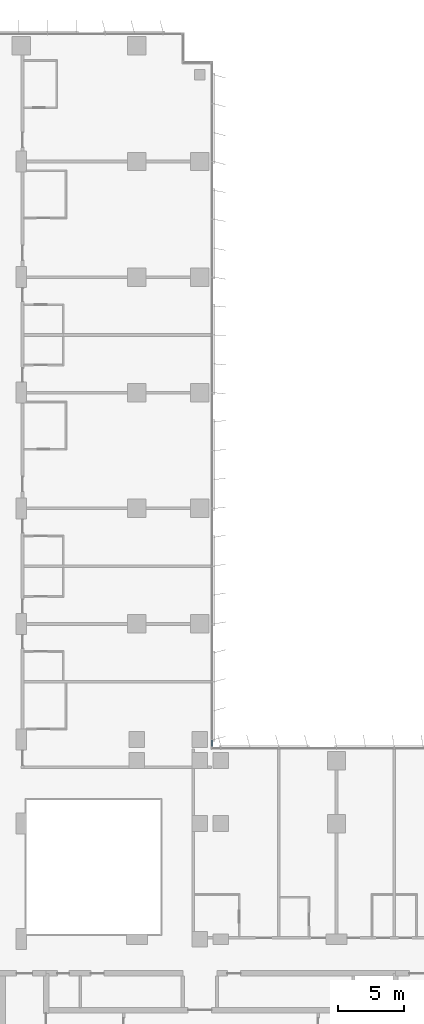
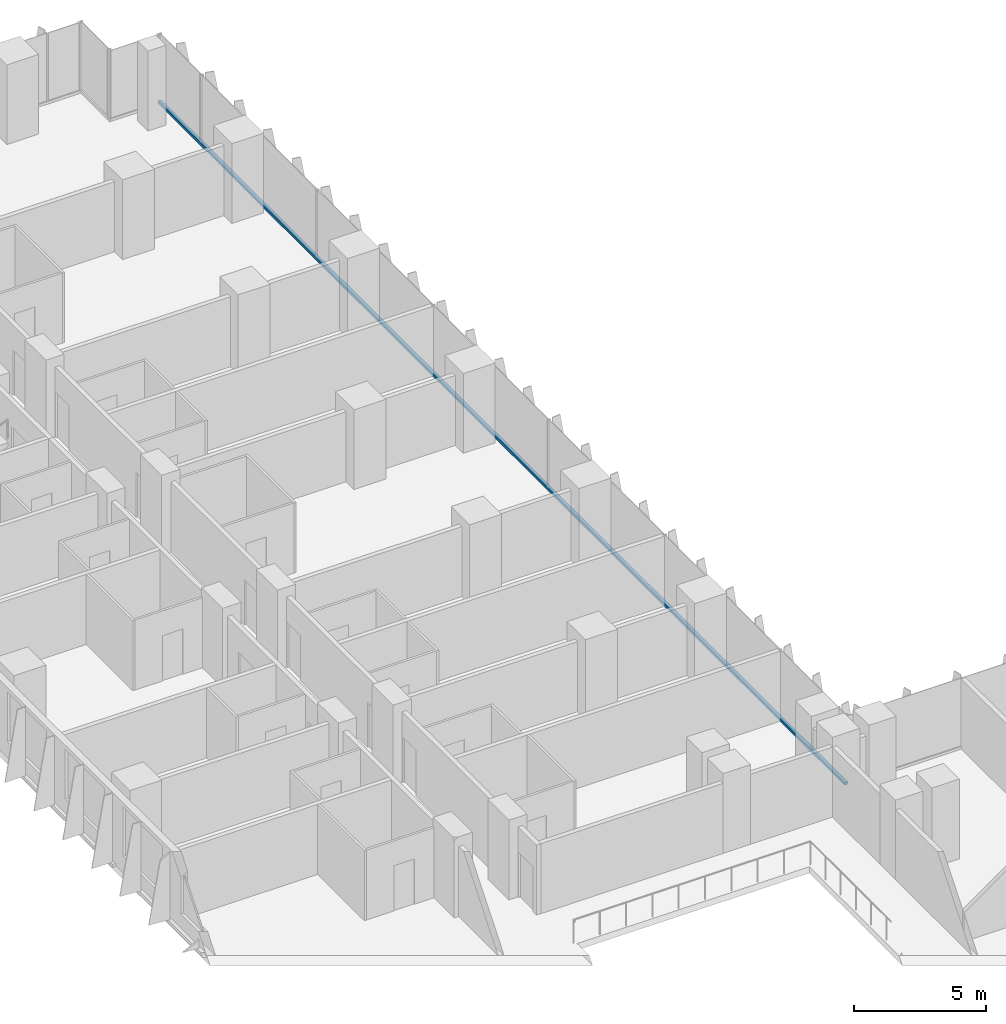
# One storey, part 6 of 23: 1 member, 1 element without a shape of its own.
"""IFC4 building model written with IfcOpenShell, lengths in metres."""

from ifc_helpers import new_model, si_unit, direction, frame, origin, origin_2d, place, context, subcontext, project, spatial, rectangle, extrude, material, material_profile, profile_set, type_object, element, aggregate, save


model = new_model("IFC4")

# Units and contexts
model_context = context("Model", 3, precision=1e-05, world=origin(), true_north=direction((0.0, 1.0)))
body_context = subcontext(model_context, "Body", "Model", "MODEL_VIEW")
ifc_project = project(units=[si_unit("LENGTHUNIT", "METRE"), si_unit("AREAUNIT", "SQUARE_METRE"), si_unit("VOLUMEUNIT", "CUBIC_METRE"), si_unit("PLANEANGLEUNIT", "RADIAN"), si_unit("MASSUNIT", "GRAM", prefix="KILO")], contexts=[model_context])

# Site, building, storey
site_placement = place(None, origin())
site = spatial("IfcSite", under=ifc_project, at=site_placement, CompositionType="ELEMENT")
building_placement = place(site_placement, origin())
building = spatial("IfcBuilding", under=site, at=building_placement, Name="Kemantara Hotel Tower", CompositionType="ELEMENT")
storey_placement = place(building_placement, frame((0.0, 0.0, 67.300048828125)))
storey = spatial("IfcBuildingStorey", under=building, at=storey_placement, Name="L15", CompositionType="ELEMENT", Elevation=67.300048828125)

# Curtain wall, member
ifc_material_1 = material(Name="Low-E tinted double insulated glass 36 mm", Category="glass")
curtain_wall_type = type_object("IfcCurtainWallType", Name="TOWER CURTAIN WALL, FRONT FACES", PredefinedType="USERDEFINED", material=ifc_material_1)
curtain_wall_placement = place(storey_placement, origin())
curtain_wall = element("IfcCurtainWall", 1, at=curtain_wall_placement, inside=storey, type_object=curtain_wall_type, Name="CW4 L15 T1-R08-1", ObjectType="TOWER CURTAIN WALL, FRONT FACES", PredefinedType="USERDEFINED")
ifc_material_2 = material(Name="Aluminium 6063-T6 bronze anodised", Category="aluminium")
ifc_material_profile = material_profile(ifc_material_2, rectangle(XDim=0.14990234375, YDim=0.1201171875, at=origin_2d()), Name="TOWER CURTAIN WALL, FRONT FACES TRANSOM")
ifc_profile_set = profile_set([ifc_material_profile], Name="Aluminium 6063-T6 bronze anodised")
member_type = type_object("IfcMemberType", Name="TOWER CURTAIN WALL, FRONT FACES TRANSOM", PredefinedType="USERDEFINED", material=ifc_profile_set)
member_placement = place(storey_placement, frame((26.72509765625, 26.800048828125, 0.06005859375), z_axis=(0.0, 1.0, 0.0), x_axis=(-1.0, 0.0, 0.0)))
member = element("IfcMember", 2, at=member_placement, type_object=member_type, Name="CW4 sill transom T1-R08-1", ObjectType="TRANSOM", PredefinedType="USERDEFINED", context=body_context, shape_type="SweptSolid", body=[
    extrude(rectangle(XDim=0.14990234375, YDim=0.1201171875, at=origin_2d()), origin(), (0.0, 0.0, 1.0), 52.199951171875),
])
aggregate(curtain_wall, [member])

save(model, "model.ifc")
